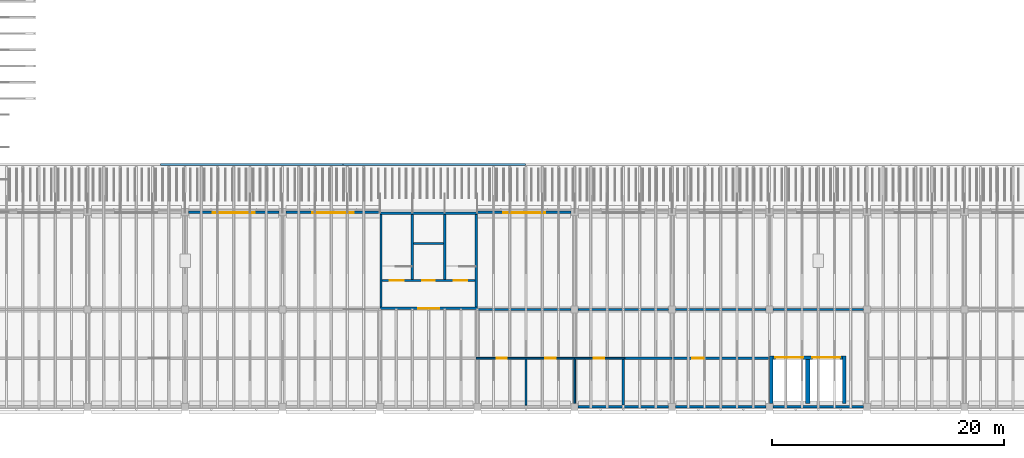
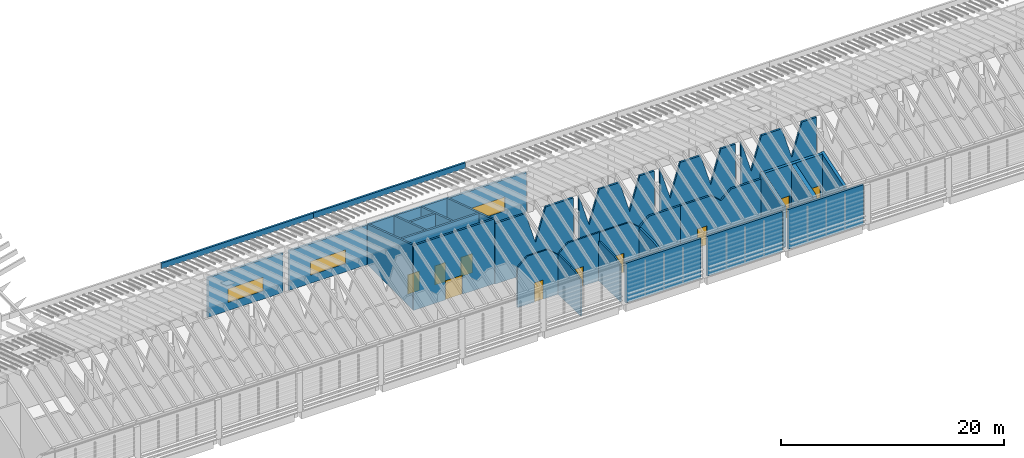
# One storey, part 20 of 59: 31 walls, 10 doors, 3 windows, 13 openings.
"""IFC4 building model written with IfcOpenShell, lengths in metres."""

from ifc_helpers import new_model, si_unit, direction, frame, frame_2d, origin, place, context, subcontext, project, spatial, polyline, rectangle, outline, extrude, material, layer, layer_set, type_object, element, fill, save


model = new_model("IFC4")

# Units and contexts
model_context = context("Model", 3, precision=1e-05, world=origin(), true_north=direction((0.0, 1.0)))
body_context = subcontext(model_context, "Body", "Model", "MODEL_VIEW")
ifc_project = project(units=[si_unit("LENGTHUNIT", "METRE"), si_unit("AREAUNIT", "SQUARE_METRE"), si_unit("VOLUMEUNIT", "CUBIC_METRE"), si_unit("PLANEANGLEUNIT", "RADIAN"), si_unit("MASSUNIT", "GRAM", prefix="KILO")], contexts=[model_context])

# Site, building, storey
site_placement = place(None, origin())
site = spatial("IfcSite", under=ifc_project, at=site_placement, CompositionType="ELEMENT")
building_placement = place(site_placement, origin())
building = spatial("IfcBuilding", under=site, at=building_placement, Name="Almond Square Museum", CompositionType="ELEMENT")
storey_placement = place(building_placement, frame((0.0, 0.0, 25.0)))
storey = spatial("IfcBuildingStorey", under=building, at=storey_placement, Name="L04", CompositionType="ELEMENT", Elevation=25.0)

# Walls
ifc_material_1 = material(Name="Concrete blockwork 200", Category="masonry")
ifc_layer_1 = layer(ifc_material_1, 0.199951171875)
ifc_layer_set_1 = layer_set([ifc_layer_1], Name="Concrete blockwork 200")
wall_type_1 = type_object("IfcWallType", Name="Fire partition 200 blockwork", PredefinedType="PARTITIONING", material=ifc_layer_set_1)
wall_1_placement = place(storey_placement, frame((64.800048828125, 8.39990234375, 0.0), z_axis=(0.0, 0.0, 1.0), x_axis=(1.0, 0.0, 0.0)))
element("IfcWall", 1, at=wall_1_placement, inside=storey, type_object=wall_type_1, Name="L04 partition 45", PredefinedType="PARTITIONING", context=body_context, shape_type="SweptSolid", body=[
    extrude(outline(polyline([(0.0, 0.0), (8.099853515625, 0.0), (8.10009765625, 6.62890625), (5.25, 6.62890625), (4.199951171875, 3.091064453125), (3.14990234375, 6.62890625), (0.0, 6.62890625), (0.0, 0.0)])), frame((0.0, 0.10009765625, 0.0), z_axis=(0.0, -1.0, 0.0), x_axis=(1.0, 0.0, 0.0)), (0.0, 0.0, 1.0), 0.199951171875),
])
for number, where, z_axis, x_axis, name in (
    (2, (73.5, 8.39990234375, 0.0), (0.0, 0.0, 1.0), (1.0, 0.0, 0.0), "L04 partition 46"),
    (3, (81.89990234375, 8.39990234375, 0.0), (0.0, 0.0, 1.0), (1.0, 0.0, 0.0), "L04 partition 47"),
    (4, (90.300048828125, 8.39990234375, 0.0), (0.0, 0.0, 1.0), (1.0, 0.0, 0.0), "L04 partition 48"),
):
    element("IfcWall", number, at=place(storey_placement, frame(where, z_axis=z_axis, x_axis=x_axis)), inside=storey, type_object=wall_type_1, Name=name, PredefinedType="PARTITIONING", context=body_context, shape_type="SweptSolid", body=[
        extrude(outline(polyline([(0.0, 0.0), (7.800048828125, 0.0), (7.800048828125, 6.62890625), (6.300048828125, 6.62890625), (5.25, 3.091064453125), (4.199951171875, 6.62890625), (2.10009765625, 6.62890625), (1.050048828125, 3.091064453125), (0.0, 6.62890625), (0.0, 0.0)])), frame((0.0, 0.10009765625, 0.0), z_axis=(0.0, -1.0, 0.0), x_axis=(1.0, 0.0, 0.0)), (0.0, 0.0, 1.0), 0.199951171875),
    ])
wall_2_placement = place(storey_placement, frame((77.300048828125, 4.199951171875, 0.0), z_axis=(0.0, 0.0, 1.0), x_axis=(1.0, 0.0, 0.0)))
element("IfcWall", 5, at=wall_2_placement, inside=storey, type_object=wall_type_1, Name="L04 partition 67", PredefinedType="PARTITIONING", context=body_context, shape_type="SweptSolid", body=[
    extrude(outline(polyline([(0.0, 0.0), (4.300048828125, 0.0), (4.300048828125, 5.264892578125), (1.050048828125, 5.264892578125), (0.0, 4.342041015625), (0.0, 0.0)])), frame((0.0, 0.10009765625, 0.0), z_axis=(0.0, -1.0, 0.0), x_axis=(1.0, 0.0, 0.0)), (0.0, 0.0, 1.0), 0.199951171875),
])

# Wall, opening, door
wall_3_placement = place(storey_placement, frame((81.60009765625, 4.199951171875, 0.0), z_axis=(0.0, 0.0, 1.0), x_axis=(1.0, 0.0, 0.0)))
wall_3 = element("IfcWall", 6, at=wall_3_placement, inside=storey, type_object=wall_type_1, Name="L04 partition 68", PredefinedType="PARTITIONING", context=body_context, shape_type="SweptSolid", body=[
    extrude(outline(polyline([(0.0, 0.0), (8.2998046875, 0.0), (8.300048828125, 5.264892578125), (5.25, 5.264892578125), (4.199951171875, 4.342041015625), (3.14990234375, 5.264892578125), (0.0, 5.264892578125), (0.0, 0.0)])), frame((0.0, 0.10009765625, 0.0), z_axis=(0.0, -1.0, 0.0), x_axis=(1.0, 0.0, 0.0)), (0.0, 0.0, 1.0), 0.199951171875),
])
opening_1_placement = place(wall_3_placement, frame((1.72509765625, 0.0, 0.0)))
opening_1 = element("IfcOpeningElement", 7, at=opening_1_placement, cuts=wall_3, Name="Opening D4115", PredefinedType="OPENING", context=body_context, shape_type="SweptSolid", body=[
    extrude(rectangle(XDim=1.0, YDim=2.10009765625, at=frame_2d((0.5, 1.050048828125))), frame((0.0, 0.10986328125, 0.0), z_axis=(0.0, -1.0, 0.0), x_axis=(1.0, 0.0, 0.0)), (0.0, 0.0, 1.0), 0.219970703125),
])
ifc_material_2 = material(Name="Steel", Category="steel")
door_type_1 = type_object("IfcDoorType", Name="Fire door 1000 x 2100 FD60 single", OperationType="NOTDEFINED", PredefinedType="DOOR", material=ifc_material_2)
door_1_placement = place(opening_1_placement, origin())
door_1 = element("IfcDoor", 8, at=door_1_placement, inside=storey, type_object=door_type_1, Name="L04 door Air Handling Plant 3 to Service Corridor 2", OperationType="SINGLE_SWING_RIGHT", OverallHeight=2.10009765625, OverallWidth=1.0, PredefinedType="DOOR", context=body_context, shape_type="SweptSolid", body=[
    extrude(rectangle(XDim=1.0, YDim=2.10009765625, at=frame_2d((0.5, 1.050048828125))), frame((0.0, 0.02490234375, 0.0), z_axis=(0.0, -1.0, 0.0), x_axis=(1.0, 0.0, 0.0)), (0.0, 0.0, 1.0), 0.050048828125),
])
fill(opening_1, door_1)

# Wall
wall_4_placement = place(storey_placement, frame((77.39990234375, 0.14990234375, 0.0), z_axis=(0.0, 0.0, 1.0), x_axis=(0.0, 1.0, 0.0)))
element("IfcWall", 9, at=wall_4_placement, inside=storey, type_object=wall_type_1, Name="L04 partition 72", PredefinedType="PARTITIONING", context=body_context, shape_type="SweptSolid", body=[
    extrude(outline(polyline([(0.0, 0.0), (3.97509765625, 0.0), (3.97509765625, 4.342041015625), (2.10009765625, 4.342041015625), (1.050048828125, 4.2900390625), (0.0, 3.9970703125), (0.0, 0.0)])), frame((0.0, 0.10009765625, 0.0), z_axis=(0.0, -1.0, 0.0), x_axis=(1.0, 0.0, 0.0)), (0.0, 0.0, 1.0), 0.199951171875),
])

# Wall, openings, doors
ifc_material_3 = material(Name="Plasterboard on steel stud", Category="steel")
ifc_layer_2 = layer(ifc_material_3, 0.14990234375)
ifc_layer_set_2 = layer_set([ifc_layer_2], Name="Plasterboard on steel stud")
wall_type_2 = type_object("IfcWallType", Name="Partition 150 plasterboard on steel stud", PredefinedType="PARTITIONING", material=ifc_layer_set_2)
wall_5_placement = place(storey_placement, frame((64.699951171875, 4.199951171875, 0.0), z_axis=(0.0, 0.0, 1.0), x_axis=(1.0, 0.0, 0.0)))
wall_5 = element("IfcWall", 10, at=wall_5_placement, inside=storey, type_object=wall_type_2, Name="L04 partition 65", PredefinedType="PARTITIONING", context=body_context, shape_type="SweptSolid", body=[
    extrude(outline(polyline([(0.0, 0.0), (8.5, 0.0), (8.5, 5.264892578125), (5.25, 5.264892578125), (4.199951171875, 4.342041015625), (3.14990234375, 5.264892578125), (1.050048828125, 5.264892578125), (0.0, 4.342041015625), (0.0, 0.0)])), frame((0.0, 0.074951171875, 0.0), z_axis=(0.0, -1.0, 0.0), x_axis=(1.0, 0.0, 0.0)), (0.0, 0.0, 1.0), 0.14990234375),
])
opening_2_placement = place(wall_5_placement, frame((1.762451171875, 0.0, 0.0)))
opening_2 = element("IfcOpeningElement", 11, at=opening_2_placement, cuts=wall_5, Name="Opening D4112", PredefinedType="OPENING", context=body_context, shape_type="SweptSolid", body=[
    extrude(rectangle(XDim=0.89990234375, YDim=2.10009765625, at=frame_2d((0.449951171875, 1.050048828125))), frame((0.0, 0.0849609375, 0.0), z_axis=(0.0, -1.0, 0.0), x_axis=(1.0, 0.0, 0.0)), (0.0, 0.0, 1.0), 0.169921875),
])
opening_3_placement = place(wall_5_placement, frame((5.949951171875, 0.0, 0.0)))
opening_3 = element("IfcOpeningElement", 12, at=opening_3_placement, cuts=wall_5, Name="Opening D4113", PredefinedType="OPENING", context=body_context, shape_type="SweptSolid", body=[
    extrude(rectangle(XDim=0.89990234375, YDim=2.10009765625, at=frame_2d((0.449951171875, 1.050048828125))), frame((0.0, 0.0849609375, 0.0), z_axis=(0.0, -1.0, 0.0), x_axis=(1.0, 0.0, 0.0)), (0.0, 0.0, 1.0), 0.169921875),
])
ifc_material_4 = material(Name="Timber", Category="wood")
door_type_2 = type_object("IfcDoorType", Name="Door 900 x 2100 timber single", OperationType="NOTDEFINED", PredefinedType="DOOR", material=ifc_material_4)
door_2_placement = place(opening_2_placement, origin())
door_2 = element("IfcDoor", 13, at=door_2_placement, inside=storey, type_object=door_type_2, Name="L04 door Women's WC 2 to Service Corridor 2", OperationType="SINGLE_SWING_LEFT", OverallHeight=2.10009765625, OverallWidth=0.89990234375, PredefinedType="DOOR", context=body_context, shape_type="SweptSolid", body=[
    extrude(rectangle(XDim=0.89990234375, YDim=2.10009765625, at=frame_2d((0.449951171875, 1.050048828125))), frame((0.0, 0.02490234375, 0.0), z_axis=(0.0, -1.0, 0.0), x_axis=(1.0, 0.0, 0.0)), (0.0, 0.0, 1.0), 0.050048828125),
])
fill(opening_2, door_2)
door_3_placement = place(opening_3_placement, origin())
door_3 = element("IfcDoor", 14, at=door_3_placement, inside=storey, type_object=door_type_2, Name="L04 door Men's WC 2 to Service Corridor 2", OperationType="SINGLE_SWING_RIGHT", OverallHeight=2.10009765625, OverallWidth=0.89990234375, PredefinedType="DOOR", context=body_context, shape_type="SweptSolid", body=[
    extrude(rectangle(XDim=0.89990234375, YDim=2.10009765625, at=frame_2d((0.449951171875, 1.050048828125))), frame((0.0, 0.02490234375, 0.0), z_axis=(0.0, -1.0, 0.0), x_axis=(1.0, 0.0, 0.0)), (0.0, 0.0, 1.0), 0.050048828125),
])
fill(opening_3, door_3)

# Wall, opening, door
wall_6_placement = place(storey_placement, frame((73.199951171875, 4.199951171875, 0.0), z_axis=(0.0, 0.0, 1.0), x_axis=(1.0, 0.0, 0.0)))
wall_6 = element("IfcWall", 15, at=wall_6_placement, inside=storey, type_object=wall_type_2, Name="L04 partition 66", PredefinedType="PARTITIONING", context=body_context, shape_type="SweptSolid", body=[
    extrude(outline(polyline([(0.0, 0.0), (4.300048828125, 0.0), (4.300048828125, 4.342041015625), (4.199951171875, 4.342041015625), (3.14990234375, 5.264892578125), (0.0, 5.264892578125), (0.0, 0.0)])), frame((0.0, 0.074951171875, 0.0), z_axis=(0.0, -1.0, 0.0), x_axis=(1.0, 0.0, 0.0)), (0.0, 0.0, 1.0), 0.14990234375),
])
opening_4_placement = place(wall_6_placement, frame((1.637451171875, 0.0, 0.0)))
opening_4 = element("IfcOpeningElement", 16, at=opening_4_placement, cuts=wall_6, Name="Opening D4114", PredefinedType="OPENING", context=body_context, shape_type="SweptSolid", body=[
    extrude(rectangle(XDim=0.89990234375, YDim=2.10009765625, at=frame_2d((0.449951171875, 1.050048828125))), frame((0.0, 0.0849609375, 0.0), z_axis=(0.0, -1.0, 0.0), x_axis=(1.0, 0.0, 0.0)), (0.0, 0.0, 1.0), 0.169921875),
])
door_4_placement = place(opening_4_placement, origin())
door_4 = element("IfcDoor", 17, at=door_4_placement, inside=storey, type_object=door_type_2, Name="L04 door Accessible WC 2 to Service Corridor 2", OperationType="SINGLE_SWING_LEFT", OverallHeight=2.10009765625, OverallWidth=0.89990234375, PredefinedType="DOOR", context=body_context, shape_type="SweptSolid", body=[
    extrude(rectangle(XDim=0.89990234375, YDim=2.10009765625, at=frame_2d((0.449951171875, 1.050048828125))), frame((0.0, 0.02490234375, 0.0), z_axis=(0.0, -1.0, 0.0), x_axis=(1.0, 0.0, 0.0)), (0.0, 0.0, 1.0), 0.050048828125),
])
fill(opening_4, door_4)

# Walls
wall_7_placement = place(storey_placement, frame((69.0, 0.14990234375, 0.0), z_axis=(0.0, 0.0, 1.0), x_axis=(0.0, 1.0, 0.0)))
element("IfcWall", 18, at=wall_7_placement, inside=storey, type_object=wall_type_2, Name="L04 partition 70", PredefinedType="PARTITIONING", context=body_context, shape_type="SweptSolid", body=[
    extrude(outline(polyline([(0.0, 0.0), (3.97509765625, 0.0), (3.97509765625, 4.342041015625), (2.10009765625, 4.342041015625), (1.050048828125, 4.2900390625), (0.0, 3.9970703125), (0.0, 0.0)])), frame((0.0, 0.074951171875, 0.0), z_axis=(0.0, -1.0, 0.0), x_axis=(1.0, 0.0, 0.0)), (0.0, 0.0, 1.0), 0.14990234375),
])
wall_8_placement = place(storey_placement, frame((73.199951171875, 0.300048828125, 0.0), z_axis=(0.0, 0.0, 1.0), x_axis=(0.0, 1.0, 0.0)))
element("IfcWall", 19, at=wall_8_placement, inside=storey, type_object=wall_type_2, Name="L04 partition 71", PredefinedType="PARTITIONING", context=body_context, shape_type="SweptSolid", body=[
    extrude(outline(polyline([(0.0, 0.0), (3.824951171875, 0.0), (3.824951171875, 4.342041015625), (2.10009765625, 4.342041015625), (1.050048828125, 4.339111328125), (0.0, 4.0458984375), (0.0, 0.0)])), frame((0.0, 0.074951171875, 0.0), z_axis=(0.0, -1.0, 0.0), x_axis=(1.0, 0.0, 0.0)), (0.0, 0.0, 1.0), 0.14990234375),
])

# Wall, opening, door
ifc_material_5 = material(Name="Concrete C40/50", Category="concrete")
ifc_layer_3 = layer(ifc_material_5, 0.199951171875)
ifc_layer_set_3 = layer_set([ifc_layer_3], Name="Concrete C40/50")
wall_type_3 = type_object("IfcWallType", Name="RC shear wall 200 C40/50", PredefinedType="SHEAR", material=ifc_layer_set_3)
wall_9_placement = place(storey_placement, frame((56.39990234375, 8.5, 0.0), z_axis=(0.0, 0.0, 1.0), x_axis=(1.0, 0.0, 0.0)))
wall_9 = element("IfcWall", 20, at=wall_9_placement, inside=storey, type_object=wall_type_3, Name="Core S2 south wall L04", PredefinedType="SHEAR", context=body_context, shape_type="SweptSolid", body=[
    extrude(rectangle(XDim=8.400146484375, YDim=0.199951171875, at=frame_2d((4.2001953125, 0.0))), origin(), (0.0, 0.0, 1.0), 7.097412109375),
])
opening_5_placement = place(wall_9_placement, frame((3.300048828125, 0.0, 0.0)))
opening_5 = element("IfcOpeningElement", 21, at=opening_5_placement, cuts=wall_9, Name="Opening D4154", PredefinedType="OPENING", context=body_context, shape_type="SweptSolid", body=[
    extrude(rectangle(XDim=1.800048828125, YDim=2.10009765625, at=frame_2d((0.89990234375, 1.050048828125))), frame((0.0, 0.10986328125, 0.0), z_axis=(0.0, -1.0, 0.0), x_axis=(1.0, 0.0, 0.0)), (0.0, 0.0, 1.0), 0.219970703125),
])
ifc_material_6 = material(Name="Steel", Category="steel")
door_type_3 = type_object("IfcDoorType", Name="Fire door 1800 x 2100 FD60 double", OperationType="NOTDEFINED", PredefinedType="DOOR", material=ifc_material_6)
door_5_placement = place(opening_5_placement, origin())
door_5 = element("IfcDoor", 22, at=door_5_placement, inside=storey, type_object=door_type_3, Name="L04 stair core S2 lobby door", OperationType="DOUBLE_DOOR_SINGLE_SWING", OverallHeight=2.10009765625, OverallWidth=1.800048828125, PredefinedType="DOOR", context=body_context, shape_type="SweptSolid", body=[
    extrude(rectangle(XDim=1.800048828125, YDim=2.10009765625, at=frame_2d((0.89990234375, 1.050048828125))), frame((0.0, 0.02490234375, 0.0), z_axis=(0.0, -1.0, 0.0), x_axis=(1.0, 0.0, 0.0)), (0.0, 0.0, 1.0), 0.050048828125),
])
fill(opening_5, door_5)

# Walls
wall_10_placement = place(storey_placement, frame((56.39990234375, 16.699951171875, 0.0), z_axis=(0.0, 0.0, 1.0), x_axis=(1.0, 0.0, 0.0)))
element("IfcWall", 23, at=wall_10_placement, inside=storey, type_object=wall_type_3, Name="Core S2 north wall L04", PredefinedType="SHEAR", context=body_context, shape_type="SweptSolid", body=[
    extrude(rectangle(XDim=8.400146484375, YDim=0.199951171875, at=frame_2d((4.2001953125, 0.0))), origin(), (0.0, 0.0, 1.0), 4.4326171875),
])
for number, where, z_axis, x_axis, name in (
    (24, (56.5, 8.60009765625, 0.0), (0.0, 0.0, 1.0), (0.0, 1.0, 0.0), "Core S2 west wall L04"),
    (25, (64.699951171875, 8.60009765625, 0.0), (0.0, 0.0, 1.0), (0.0, 1.0, 0.0), "Core S2 east wall L04"),
):
    element("IfcWall", number, at=place(storey_placement, frame(where, z_axis=z_axis, x_axis=x_axis)), inside=storey, type_object=wall_type_3, Name=name, PredefinedType="SHEAR", context=body_context, shape_type="SweptSolid", body=[
        extrude(outline(polyline([(0.0, 0.0), (8.0, 0.0), (8.0, 4.465087890625), (7.70361328125, 4.56103515625), (7.407470703125, 4.657958984375), (6.5185546875, 4.946044921875), (6.22216796875, 5.04296875), (5.333251953125, 5.3310546875), (5.037109375, 5.427978515625), (4.4443359375, 5.6201171875), (4.148193359375, 5.717041015625), (3.25927734375, 6.0048828125), (2.962890625, 6.10205078125), (2.07421875, 6.389892578125), (1.77783203125, 6.487060546875), (1.185302734375, 6.678955078125), (0.888916015625, 6.77587890625), (0.0, 7.06396484375), (0.0, 0.0)])), frame((0.0, 0.10009765625, 0.0), z_axis=(0.0, -1.0, 0.0), x_axis=(1.0, 0.0, 0.0)), (0.0, 0.0, 1.0), 0.199951171875),
    ])

# Wall, openings, doors
wall_11_placement = place(storey_placement, frame((56.60009765625, 10.89990234375, 0.0), z_axis=(0.0, 0.0, 1.0), x_axis=(1.0, 0.0, 0.0)))
wall_11 = element("IfcWall", 26, at=wall_11_placement, inside=storey, type_object=wall_type_3, Name="Core S2 lobby wall L04", PredefinedType="SHEAR", context=body_context, shape_type="SweptSolid", body=[
    extrude(rectangle(XDim=8.0, YDim=0.199951171875, at=frame_2d((4.0, 0.0))), origin(), (0.0, 0.0, 1.0), 6.3173828125),
])
opening_6_placement = place(wall_11_placement, frame((0.64990234375, 0.0, 0.0)))
opening_6 = element("IfcOpeningElement", 27, at=opening_6_placement, cuts=wall_11, Name="Opening D4155", PredefinedType="OPENING", context=body_context, shape_type="SweptSolid", body=[
    extrude(rectangle(XDim=1.199951171875, YDim=2.10009765625, at=frame_2d((0.60009765625, 1.050048828125))), frame((0.0, 0.10986328125, 0.0), z_axis=(0.0, -1.0, 0.0), x_axis=(1.0, 0.0, 0.0)), (0.0, 0.0, 1.0), 0.219970703125),
])
opening_7_placement = place(wall_11_placement, frame((6.14990234375, 0.0, 0.0)))
opening_7 = element("IfcOpeningElement", 28, at=opening_7_placement, cuts=wall_11, Name="Opening D4156", PredefinedType="OPENING", context=body_context, shape_type="SweptSolid", body=[
    extrude(rectangle(XDim=1.199951171875, YDim=2.10009765625, at=frame_2d((0.60009765625, 1.050048828125))), frame((0.0, 0.10986328125, 0.0), z_axis=(0.0, -1.0, 0.0), x_axis=(1.0, 0.0, 0.0)), (0.0, 0.0, 1.0), 0.219970703125),
])
opening_8_placement = place(wall_11_placement, frame((3.449951171875, 0.0, 0.0)))
opening_8 = element("IfcOpeningElement", 29, at=opening_8_placement, cuts=wall_11, Name="Opening D4157", PredefinedType="OPENING", context=body_context, shape_type="SweptSolid", body=[
    extrude(rectangle(XDim=1.10009765625, YDim=2.10009765625, at=frame_2d((0.550048828125, 1.050048828125))), frame((0.0, 0.10986328125, 0.0), z_axis=(0.0, -1.0, 0.0), x_axis=(1.0, 0.0, 0.0)), (0.0, 0.0, 1.0), 0.219970703125),
])
ifc_material_7 = material(Name="Steel", Category="steel")
door_type_4 = type_object("IfcDoorType", Name="Fire door 1200 x 2100 FD120 stair", OperationType="NOTDEFINED", PredefinedType="DOOR", material=ifc_material_7)
door_6_placement = place(opening_6_placement, origin())
door_6 = element("IfcDoor", 30, at=door_6_placement, inside=storey, type_object=door_type_4, Name="L04 stair S2-1 door", OperationType="SINGLE_SWING_LEFT", OverallHeight=2.10009765625, OverallWidth=1.199951171875, PredefinedType="DOOR", context=body_context, shape_type="SweptSolid", body=[
    extrude(rectangle(XDim=1.199951171875, YDim=2.10009765625, at=frame_2d((0.60009765625, 1.050048828125))), frame((0.0, 0.02490234375, 0.0), z_axis=(0.0, -1.0, 0.0), x_axis=(1.0, 0.0, 0.0)), (0.0, 0.0, 1.0), 0.050048828125),
])
fill(opening_6, door_6)
door_7_placement = place(opening_7_placement, origin())
door_7 = element("IfcDoor", 31, at=door_7_placement, inside=storey, type_object=door_type_4, Name="L04 stair S2-2 door", OperationType="SINGLE_SWING_RIGHT", OverallHeight=2.10009765625, OverallWidth=1.199951171875, PredefinedType="DOOR", context=body_context, shape_type="SweptSolid", body=[
    extrude(rectangle(XDim=1.199951171875, YDim=2.10009765625, at=frame_2d((0.60009765625, 1.050048828125))), frame((0.0, 0.02490234375, 0.0), z_axis=(0.0, -1.0, 0.0), x_axis=(1.0, 0.0, 0.0)), (0.0, 0.0, 1.0), 0.050048828125),
])
fill(opening_7, door_7)
ifc_material_8 = material(Name="Stainless steel", Category="steel")
door_type_5 = type_object("IfcDoorType", Name="Lift landing door 1100 x 2100", OperationType="NOTDEFINED", PredefinedType="DOOR", material=ifc_material_8)
door_8_placement = place(opening_8_placement, origin())
door_8 = element("IfcDoor", 32, at=door_8_placement, inside=storey, type_object=door_type_5, Name="L04 lift PL-S2 landing door", OperationType="DOUBLE_DOOR_SLIDING", OverallHeight=2.10009765625, OverallWidth=1.10009765625, PredefinedType="DOOR", context=body_context, shape_type="SweptSolid", body=[
    extrude(rectangle(XDim=1.10009765625, YDim=2.10009765625, at=frame_2d((0.550048828125, 1.050048828125))), frame((0.0, 0.02490234375, 0.0), z_axis=(0.0, -1.0, 0.0), x_axis=(1.0, 0.0, 0.0)), (0.0, 0.0, 1.0), 0.050048828125),
])
fill(opening_8, door_8)

# Walls
for number, where, z_axis, x_axis, name in (
    (33, (59.199951171875, 11.0, 0.0), (0.0, 0.0, 1.0), (0.0, 1.0, 0.0), "Core S2 partition wall L04"),
    (34, (62.0, 11.0, 0.0), (0.0, 0.0, 1.0), (0.0, 1.0, 0.0), "Core S2 partition wall L04"),
):
    element("IfcWall", number, at=place(storey_placement, frame(where, z_axis=z_axis, x_axis=x_axis)), inside=storey, type_object=wall_type_3, Name=name, PredefinedType="SHEAR", context=body_context, shape_type="SweptSolid", body=[
        extrude(outline(polyline([(0.0, 0.0), (5.60009765625, 0.0), (5.60009765625, 4.465087890625), (5.010498046875, 4.656982421875), (4.7158203125, 4.751953125), (3.83154296875, 5.0400390625), (3.536865234375, 5.135009765625), (2.652587890625, 5.423095703125), (2.35791015625, 5.51806640625), (1.4736328125, 5.805908203125), (1.178955078125, 5.90087890625), (0.0, 6.284912109375), (0.0, 0.0)])), frame((0.0, 0.10009765625, 0.0), z_axis=(0.0, -1.0, 0.0), x_axis=(1.0, 0.0, 0.0)), (0.0, 0.0, 1.0), 0.199951171875),
    ])
wall_12_placement = place(storey_placement, frame((59.300048828125, 14.10009765625, 0.0), z_axis=(0.0, 0.0, 1.0), x_axis=(1.0, 0.0, 0.0)))
element("IfcWall", 35, at=wall_12_placement, inside=storey, type_object=wall_type_3, Name="Core S2 partition wall L04", PredefinedType="SHEAR", context=body_context, shape_type="SweptSolid", body=[
    extrude(rectangle(XDim=2.599853515625, YDim=0.199951171875, at=frame_2d((1.2998046875, 0.0))), origin(), (0.0, 0.0, 1.0), 5.277587890625),
])
ifc_material_9 = material(Name="Concrete C40/50", Category="concrete")
ifc_layer_4 = layer(ifc_material_9, 0.300048828125)
ifc_layer_set_4 = layer_set([ifc_layer_4], Name="Concrete C40/50")
wall_type_4 = type_object("IfcWallType", Name="RC shear wall 300 C40/50", PredefinedType="SHEAR", material=ifc_layer_set_4)
for number, where, z_axis, x_axis, name in (
    (36, (90.14990234375, 0.300048828125, 0.0), (0.0, 0.0, 1.0), (0.0, 1.0, 0.0), "Goods lift shaft west wall L04"),
    (37, (96.449951171875, 0.300048828125, 0.0), (0.0, 0.0, 1.0), (0.0, 1.0, 0.0), "Goods lift shaft east wall L04"),
):
    element("IfcWall", number, at=place(storey_placement, frame(where, z_axis=z_axis, x_axis=x_axis)), inside=storey, type_object=wall_type_4, Name=name, PredefinedType="SHEAR", context=body_context, shape_type="SweptSolid", body=[
        extrude(outline(polyline([(0.0, 0.0), (4.099853515625, 0.0), (4.10009765625, 5.830078125), (3.80712890625, 5.73388671875), (2.050048828125, 5.1640625), (1.757080078125, 5.068115234375), (0.29296875, 4.593017578125), (0.0, 4.4970703125), (0.0, 0.0)])), frame((0.0, 0.14990234375, 0.0), z_axis=(0.0, -1.0, 0.0), x_axis=(1.0, 0.0, 0.0)), (0.0, 0.0, 1.0), 0.300048828125),
    ])

# Wall, openings, doors
wall_13_placement = place(storey_placement, frame((90.300048828125, 4.25, 0.0), z_axis=(0.0, 0.0, 1.0), x_axis=(1.0, 0.0, 0.0)))
wall_13 = element("IfcWall", 38, at=wall_13_placement, inside=storey, type_object=wall_type_4, Name="Goods lift shaft lobby wall L04", PredefinedType="SHEAR", context=body_context, shape_type="SweptSolid", body=[
    extrude(rectangle(XDim=6.0, YDim=0.300048828125, at=frame_2d((3.0, 0.0))), origin(), (0.0, 0.0, 1.0), 5.780029296875),
])
opening_9_placement = place(wall_13_placement, frame((0.199951171875, 0.0, 0.0)))
opening_9 = element("IfcOpeningElement", 39, at=opening_9_placement, cuts=wall_13, Name="Opening D4168", PredefinedType="OPENING", context=body_context, shape_type="SweptSolid", body=[
    extrude(rectangle(XDim=2.39990234375, YDim=2.39990234375, at=frame_2d((1.199951171875, 1.199951171875))), frame((0.0, 0.159912109375, 0.0), z_axis=(0.0, -1.0, 0.0), x_axis=(1.0, 0.0, 0.0)), (0.0, 0.0, 1.0), 0.320068359375),
])
opening_10_placement = place(wall_13_placement, frame((3.39990234375, 0.0, 0.0)))
opening_10 = element("IfcOpeningElement", 40, at=opening_10_placement, cuts=wall_13, Name="Opening D4169", PredefinedType="OPENING", context=body_context, shape_type="SweptSolid", body=[
    extrude(rectangle(XDim=2.39990234375, YDim=2.39990234375, at=frame_2d((1.199951171875, 1.199951171875))), frame((0.0, 0.159912109375, 0.0), z_axis=(0.0, -1.0, 0.0), x_axis=(1.0, 0.0, 0.0)), (0.0, 0.0, 1.0), 0.320068359375),
])
ifc_material_10 = material(Name="Stainless steel", Category="steel")
door_type_6 = type_object("IfcDoorType", Name="Goods lift landing door 2400 x 2400", OperationType="NOTDEFINED", PredefinedType="DOOR", material=ifc_material_10)
door_9_placement = place(opening_9_placement, origin())
door_9 = element("IfcDoor", 41, at=door_9_placement, inside=storey, type_object=door_type_6, Name="L04 goods lift GL1 landing door", OperationType="DOUBLE_DOOR_SLIDING", OverallHeight=2.39990234375, OverallWidth=2.39990234375, PredefinedType="DOOR", context=body_context, shape_type="SweptSolid", body=[
    extrude(rectangle(XDim=2.39990234375, YDim=2.39990234375, at=frame_2d((1.199951171875, 1.199951171875))), frame((0.0, 0.02490234375, 0.0), z_axis=(0.0, -1.0, 0.0), x_axis=(1.0, 0.0, 0.0)), (0.0, 0.0, 1.0), 0.050048828125),
])
fill(opening_9, door_9)
door_10_placement = place(opening_10_placement, origin())
door_10 = element("IfcDoor", 42, at=door_10_placement, inside=storey, type_object=door_type_6, Name="L04 goods lift GL2 landing door", OperationType="DOUBLE_DOOR_SLIDING", OverallHeight=2.39990234375, OverallWidth=2.39990234375, PredefinedType="DOOR", context=body_context, shape_type="SweptSolid", body=[
    extrude(rectangle(XDim=2.39990234375, YDim=2.39990234375, at=frame_2d((1.199951171875, 1.199951171875))), frame((0.0, 0.02490234375, 0.0), z_axis=(0.0, -1.0, 0.0), x_axis=(1.0, 0.0, 0.0)), (0.0, 0.0, 1.0), 0.050048828125),
])
fill(opening_10, door_10)

# Walls
ifc_material_11 = material(Name="Concrete C40/50", Category="concrete")
ifc_layer_5 = layer(ifc_material_11, 0.39990234375)
ifc_layer_set_5 = layer_set([ifc_layer_5], Name="Concrete C40/50")
wall_type_5 = type_object("IfcWallType", Name="RC shear wall 400 C40/50", PredefinedType="SHEAR", material=ifc_layer_set_5)
wall_14_placement = place(storey_placement, frame((93.300048828125, 0.300048828125, 0.0), z_axis=(0.0, 0.0, 1.0), x_axis=(0.0, 1.0, 0.0)))
element("IfcWall", 43, at=wall_14_placement, inside=storey, type_object=wall_type_5, Name="Goods lift shaft partition wall L04", PredefinedType="SHEAR", context=body_context, shape_type="SweptSolid", body=[
    extrude(outline(polyline([(0.0, 0.0), (3.800048828125, 0.0), (3.800048828125, 5.73193359375), (0.0, 4.4970703125), (0.0, 0.0)])), frame((0.0, 0.199951171875, 0.0), z_axis=(0.0, -1.0, 0.0), x_axis=(1.0, 0.0, 0.0)), (0.0, 0.0, 1.0), 0.39990234375),
])
ifc_material_12 = material(Name="Concrete C30/37", Category="concrete")
ifc_layer_6 = layer(ifc_material_12, 0.199951171875)
ifc_layer_set_6 = layer_set([ifc_layer_6], Name="Concrete C30/37")
wall_type_6 = type_object("IfcWallType", Name="Roof parapet 200", PredefinedType="PARAPET", material=ifc_layer_set_6)
wall_15_placement = place(storey_placement, frame((37.487548828125, 20.89990234375, 3.662841796875), z_axis=(0.0, 0.0, 1.0), x_axis=(1.0, 0.0, 0.0)))
element("IfcWall", 44, at=wall_15_placement, inside=storey, type_object=wall_type_6, Name="Roof parapet 4", PredefinedType="PARAPET", context=body_context, shape_type="SweptSolid", body=[
    extrude(rectangle(XDim=15.74365234375, YDim=0.199951171875, at=frame_2d((7.871826171875, 0.0))), origin(), (0.0, 0.0, 1.0), 0.60498046875),
])
wall_16_placement = place(storey_placement, frame((53.231201171875, 20.89990234375, 3.662841796875), z_axis=(0.0, 0.0, 1.0), x_axis=(1.0, 0.0, 0.0)))
element("IfcWall", 45, at=wall_16_placement, inside=storey, type_object=wall_type_6, Name="Roof parapet 5", PredefinedType="PARAPET", context=body_context, shape_type="SweptSolid", body=[
    extrude(rectangle(XDim=15.743896484375, YDim=0.199951171875, at=frame_2d((7.8720703125, 0.0))), origin(), (0.0, 0.0, 1.0), 0.60498046875),
])
ifc_material_13 = material(Name="Concrete C30/37", Category="concrete")
ifc_layer_7 = layer(ifc_material_13, 0.219970703125)
ifc_layer_set_7 = layer_set([ifc_layer_7], Name="Concrete C30/37")
wall_type_7 = type_object("IfcWallType", Name="Stucco panel wall 220 with insulation", PredefinedType="SOLIDWALL", material=ifc_layer_set_7)
for number, where, z_axis, x_axis, name in (
    (46, (73.5, 0.0, 0.0), (0.0, 0.0, 1.0), (1.0, 0.0, 0.0), "External wall W4 V5S L04 S08"),
    (47, (81.89990234375, 0.0, 0.0), (0.0, 0.0, 1.0), (1.0, 0.0, 0.0), "External wall W4 V5S L04 S09"),
    (48, (90.300048828125, 0.0, 0.0), (0.0, 0.0, 1.0), (1.0, 0.0, 0.0), "External wall W4 V5S L04 S10"),
):
    element("IfcWall", number, at=place(storey_placement, frame(where, z_axis=z_axis, x_axis=x_axis)), inside=storey, type_object=wall_type_7, Name=name, PredefinedType="SOLIDWALL", context=body_context, shape_type="SweptSolid", body=[
        extrude(rectangle(XDim=7.800048828125, YDim=0.219970703125, at=frame_2d((3.89990234375, 0.0))), origin(), (0.0, 0.0, 1.0), 4.33447265625),
    ])

# Wall, opening, window
wall_17_placement = place(storey_placement, frame((64.800048828125, 16.800048828125, 0.0), z_axis=(0.0, 0.0, 1.0), x_axis=(1.0, 0.0, 0.0)))
wall_17 = element("IfcWall", 49, at=wall_17_placement, inside=storey, type_object=wall_type_7, Name="External wall W4 V5S L04 N07", PredefinedType="SOLIDWALL", context=body_context, shape_type="SweptSolid", body=[
    extrude(rectangle(XDim=8.099853515625, YDim=0.219970703125, at=frame_2d((4.0498046875, 0.0))), origin(), (0.0, 0.0, 1.0), 4.33447265625),
])
opening_11_placement = place(wall_17_placement, frame((2.25, 0.0, 0.89990234375)))
opening_11 = element("IfcOpeningElement", 50, at=opening_11_placement, cuts=wall_17, Name="Opening W4014", PredefinedType="OPENING", context=body_context, shape_type="SweptSolid", body=[
    extrude(rectangle(XDim=3.60009765625, YDim=1.5, at=frame_2d((1.800048828125, 0.75))), frame((0.0, 0.119873046875, 0.0), z_axis=(0.0, -1.0, 0.0), x_axis=(1.0, 0.0, 0.0)), (0.0, 0.0, 1.0), 0.239990234375),
])
ifc_material_14 = material(Name="Aluminium frame and laminated glass", Category="aluminium")
window_type = type_object("IfcWindowType", Name="Office ribbon window", PartitioningType="SINGLE_PANEL", PredefinedType="WINDOW", material=ifc_material_14)
window_1_placement = place(opening_11_placement, origin())
window_1 = element("IfcWindow", 51, at=window_1_placement, inside=storey, type_object=window_type, Name="Office ribbon window W4014", OverallHeight=1.5, OverallWidth=3.60009765625, PartitioningType="DOUBLE_PANEL_VERTICAL", PredefinedType="WINDOW", context=body_context, shape_type="SweptSolid", body=[
    extrude(rectangle(XDim=3.60009765625, YDim=1.5, at=frame_2d((1.800048828125, 0.75))), frame((0.0, -0.030029296875, 0.0), z_axis=(0.0, -1.0, 0.0), x_axis=(1.0, 0.0, 0.0)), (0.0, 0.0, 1.0), 0.06005859375),
])
fill(opening_11, window_1)

wall_18_placement = place(storey_placement, frame((48.300048828125, 16.800048828125, 0.0), z_axis=(0.0, 0.0, 1.0), x_axis=(1.0, 0.0, 0.0)))
wall_18 = element("IfcWall", 52, at=wall_18_placement, inside=storey, type_object=wall_type_7, Name="External wall W4 V5S L04 N08", PredefinedType="SOLIDWALL", context=body_context, shape_type="SweptSolid", body=[
    extrude(rectangle(XDim=8.099853515625, YDim=0.219970703125, at=frame_2d((4.0498046875, 0.0))), origin(), (0.0, 0.0, 1.0), 4.33447265625),
])
opening_12_placement = place(wall_18_placement, frame((2.25, 0.0, 0.89990234375)))
opening_12 = element("IfcOpeningElement", 53, at=opening_12_placement, cuts=wall_18, Name="Opening W4015", PredefinedType="OPENING", context=body_context, shape_type="SweptSolid", body=[
    extrude(rectangle(XDim=3.60009765625, YDim=1.5, at=frame_2d((1.800048828125, 0.75))), frame((0.0, 0.119873046875, 0.0), z_axis=(0.0, -1.0, 0.0), x_axis=(1.0, 0.0, 0.0)), (0.0, 0.0, 1.0), 0.239990234375),
])
window_2_placement = place(opening_12_placement, origin())
window_2 = element("IfcWindow", 54, at=window_2_placement, inside=storey, type_object=window_type, Name="Office ribbon window W4015", OverallHeight=1.5, OverallWidth=3.60009765625, PartitioningType="DOUBLE_PANEL_VERTICAL", PredefinedType="WINDOW", context=body_context, shape_type="SweptSolid", body=[
    extrude(rectangle(XDim=3.60009765625, YDim=1.5, at=frame_2d((1.800048828125, 0.75))), frame((0.0, -0.030029296875, 0.0), z_axis=(0.0, -1.0, 0.0), x_axis=(1.0, 0.0, 0.0)), (0.0, 0.0, 1.0), 0.06005859375),
])
fill(opening_12, window_2)

wall_19_placement = place(storey_placement, frame((39.89990234375, 16.800048828125, 0.0), z_axis=(0.0, 0.0, 1.0), x_axis=(1.0, 0.0, 0.0)))
wall_19 = element("IfcWall", 55, at=wall_19_placement, inside=storey, type_object=wall_type_7, Name="External wall W4 V5S L04 N09", PredefinedType="SOLIDWALL", context=body_context, shape_type="SweptSolid", body=[
    extrude(rectangle(XDim=7.800048828125, YDim=0.219970703125, at=frame_2d((3.89990234375, 0.0))), origin(), (0.0, 0.0, 1.0), 4.33447265625),
])
opening_13_placement = place(wall_19_placement, frame((2.10009765625, 0.0, 0.89990234375)))
opening_13 = element("IfcOpeningElement", 56, at=opening_13_placement, cuts=wall_19, Name="Opening W4016", PredefinedType="OPENING", context=body_context, shape_type="SweptSolid", body=[
    extrude(rectangle(XDim=3.60009765625, YDim=1.5, at=frame_2d((1.800048828125, 0.75))), frame((0.0, 0.119873046875, 0.0), z_axis=(0.0, -1.0, 0.0), x_axis=(1.0, 0.0, 0.0)), (0.0, 0.0, 1.0), 0.239990234375),
])
window_3_placement = place(opening_13_placement, origin())
window_3 = element("IfcWindow", 57, at=window_3_placement, inside=storey, type_object=window_type, Name="Office ribbon window W4016", OverallHeight=1.5, OverallWidth=3.60009765625, PartitioningType="DOUBLE_PANEL_VERTICAL", PredefinedType="WINDOW", context=body_context, shape_type="SweptSolid", body=[
    extrude(rectangle(XDim=3.60009765625, YDim=1.5, at=frame_2d((1.800048828125, 0.75))), frame((0.0, -0.030029296875, 0.0), z_axis=(0.0, -1.0, 0.0), x_axis=(1.0, 0.0, 0.0)), (0.0, 0.0, 1.0), 0.06005859375),
])
fill(opening_13, window_3)

save(model, "model.ifc")
